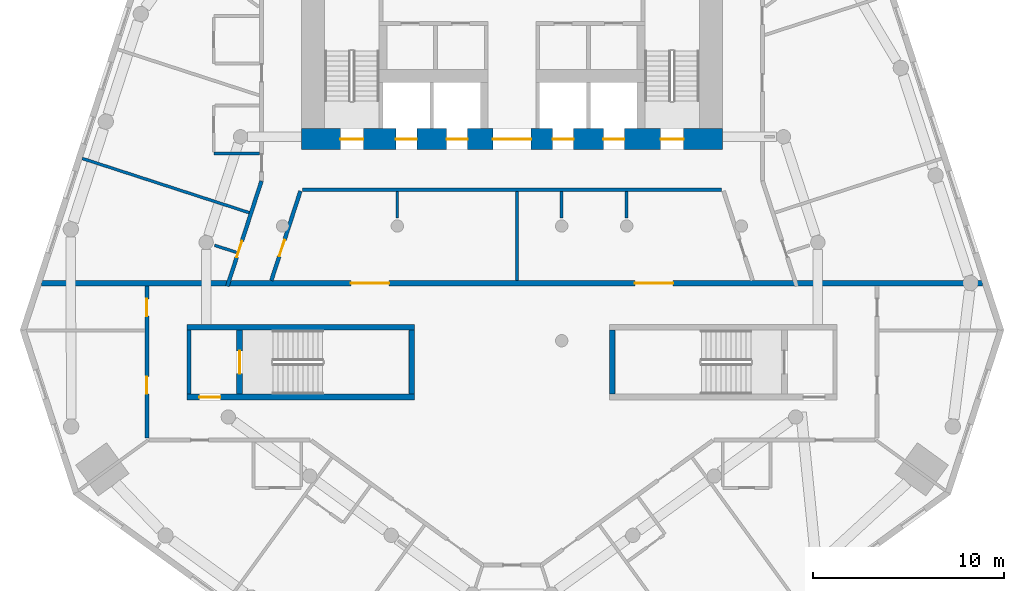
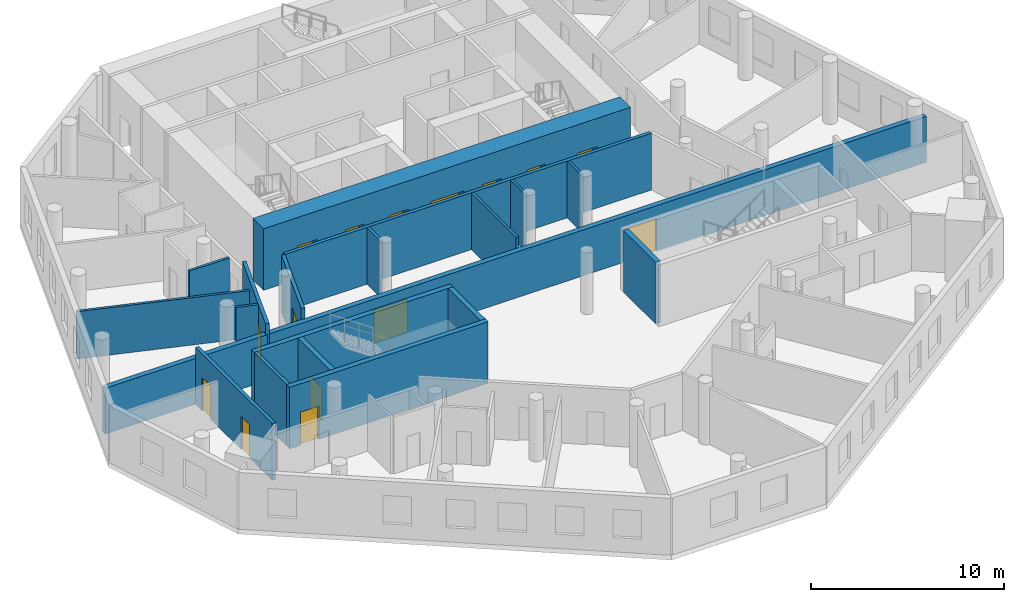
# One storey, part 3 of 9: 19 walls, 15 doors, 15 openings.
"""IFC4 building model written with IfcOpenShell, lengths in metres."""

from ifc_helpers import new_model, si_unit, direction, frame, frame_2d, origin, place, context, subcontext, project, spatial, rectangle, extrude, material, layer, layer_set, type_object, element, fill, save


model = new_model("IFC4")

# Units and contexts
model_context = context("Model", 3, precision=1e-05, world=origin(), true_north=direction((0.0, 1.0)))
body_context = subcontext(model_context, "Body", "Model", "MODEL_VIEW")
ifc_project = project(units=[si_unit("LENGTHUNIT", "METRE"), si_unit("AREAUNIT", "SQUARE_METRE"), si_unit("VOLUMEUNIT", "CUBIC_METRE"), si_unit("PLANEANGLEUNIT", "RADIAN"), si_unit("MASSUNIT", "GRAM", prefix="KILO")], contexts=[model_context])

# Site, building, storey
site_placement = place(None, origin())
site = spatial("IfcSite", under=ifc_project, at=site_placement, CompositionType="ELEMENT")
building_placement = place(site_placement, origin())
building = spatial("IfcBuilding", under=site, at=building_placement, Name="White Candle Pilgrim Tower", CompositionType="ELEMENT")
storey_placement = place(building_placement, frame((0.0, 0.0, 118.10009765625)))
storey = spatial("IfcBuildingStorey", under=building, at=storey_placement, Name="L26", CompositionType="ELEMENT", Elevation=118.10009765625)

# Wall
ifc_material_1 = material(Name="Concrete C60/75", Category="concrete")
ifc_layer_1 = layer(ifc_material_1, 0.199951171875)
ifc_layer_set_1 = layer_set([ifc_layer_1], Name="Core wall 200 mm Concrete C60/75")
wall_type_1 = type_object("IfcWallType", Name="Core wall 200 mm Concrete C60/75", PredefinedType="SHEAR", material=ifc_layer_set_1)
wall_1_placement = place(storey_placement, frame((53.10009765625, 58.199951171875, 0.0), z_axis=(0.0, 0.0, 1.0), x_axis=(0.0, 1.0, 0.0)))
element("IfcWall", 1, at=wall_1_placement, inside=storey, type_object=wall_type_1, Name="WL-L26-C03", PredefinedType="SHEAR", context=body_context, shape_type="SweptSolid", body=[
    extrude(rectangle(XDim=3.35009765625, YDim=0.199951171875, at=frame_2d((1.675048828125, 0.0))), origin(), (0.0, 0.0, 1.0), 3.89990234375),
])

# Wall, opening, door
ifc_material_2 = material(Name="Gypsum board on steel studs", Category="steel")
ifc_layer_2 = layer(ifc_material_2, 0.199951171875)
ifc_layer_set_2 = layer_set([ifc_layer_2], Name="Corridor wall 200 mm EI 45")
wall_type_2 = type_object("IfcWallType", Name="Corridor wall 200 mm EI 45", PredefinedType="PARTITIONING", material=ifc_layer_set_2)
wall_2_placement = place(storey_placement, frame((55.106689453125, 63.85009765625, 0.0), z_axis=(0.0, 0.0, 1.0), x_axis=(0.309017390004, 0.951056387747, 0.0)))
wall_2 = element("IfcWall", 2, at=wall_2_placement, inside=storey, type_object=wall_type_2, Name="WL-L26-P002", PredefinedType="PARTITIONING", context=body_context, shape_type="SweptSolid", body=[
    extrude(rectangle(XDim=5.787109375, YDim=0.199951171875, at=frame_2d((2.8935546875, 0.0))), origin(), (0.0, 0.0, 1.0), 3.599853515625),
])
opening_1_placement = place(wall_2_placement, frame((1.59619140625, 0.0, 0.0)))
opening_1 = element("IfcOpeningElement", 3, at=opening_1_placement, cuts=wall_2, Name="Opening T08-119", PredefinedType="OPENING", context=body_context, shape_type="SweptSolid", body=[
    extrude(rectangle(XDim=0.89990234375, YDim=2.10009765625, at=frame_2d((0.449951171875, 1.050048828125))), frame((0.0, 0.10986328125, 0.0), z_axis=(0.0, -1.0, 0.0), x_axis=(1.0, 0.0, 0.0)), (0.0, 0.0, 1.0), 0.219970703125),
])
ifc_material_3 = material(Name="Steel door leaf", Category="steel")
door_type_1 = type_object("IfcDoorType", Name="Fire door 900 x 2100 EI 30", OperationType="NOTDEFINED", PredefinedType="DOOR", material=ifc_material_3)
door_1_placement = place(opening_1_placement, origin())
door_1 = element("IfcDoor", 4, at=door_1_placement, inside=storey, type_object=door_type_1, Name="Door T08-119", OperationType="SINGLE_SWING_LEFT", OverallHeight=2.10009765625, OverallWidth=0.89990234375, PredefinedType="DOOR", context=body_context, shape_type="SweptSolid", body=[
    extrude(rectangle(XDim=0.89990234375, YDim=2.10009765625, at=frame_2d((0.449951171875, 1.050048828125))), frame((0.0, 0.02490234375, 0.0), z_axis=(0.0, -1.0, 0.0), x_axis=(1.0, 0.0, 0.0)), (0.0, 0.0, 1.0), 0.050048828125),
])
fill(opening_1, door_1)

# Wall, openings, doors
wall_3_placement = place(storey_placement, frame((50.89990234375, 55.89990234375, 0.0), z_axis=(0.0, 0.0, 1.0), x_axis=(0.0, 1.0, 0.0)))
wall_3 = element("IfcWall", 5, at=wall_3_placement, inside=storey, type_object=wall_type_2, Name="WL-L26-P012", PredefinedType="PARTITIONING", context=body_context, shape_type="SweptSolid", body=[
    extrude(rectangle(XDim=7.9501953125, YDim=0.199951171875, at=frame_2d((3.97509765625, 0.0))), origin(), (0.0, 0.0, 1.0), 3.599853515625),
])
opening_2_placement = place(wall_3_placement, frame((2.321533203125, 0.0, 0.0)))
opening_2 = element("IfcOpeningElement", 6, at=opening_2_placement, cuts=wall_3, Name="Opening T08-103", PredefinedType="OPENING", context=body_context, shape_type="SweptSolid", body=[
    extrude(rectangle(XDim=0.89990234375, YDim=2.10009765625, at=frame_2d((0.449951171875, 1.050048828125))), frame((0.0, 0.10986328125, 0.0), z_axis=(0.0, -1.0, 0.0), x_axis=(1.0, 0.0, 0.0)), (0.0, 0.0, 1.0), 0.219970703125),
])
opening_3_placement = place(wall_3_placement, frame((6.384033203125, 0.0, 0.0)))
opening_3 = element("IfcOpeningElement", 7, at=opening_3_placement, cuts=wall_3, Name="Opening T08-118", PredefinedType="OPENING", context=body_context, shape_type="SweptSolid", body=[
    extrude(rectangle(XDim=0.89990234375, YDim=2.10009765625, at=frame_2d((0.449951171875, 1.050048828125))), frame((0.0, 0.10986328125, 0.0), z_axis=(0.0, -1.0, 0.0), x_axis=(1.0, 0.0, 0.0)), (0.0, 0.0, 1.0), 0.219970703125),
])
door_2_placement = place(opening_2_placement, origin())
door_2 = element("IfcDoor", 8, at=door_2_placement, inside=storey, type_object=door_type_1, Name="Door T08-103", OperationType="SINGLE_SWING_LEFT", OverallHeight=2.10009765625, OverallWidth=0.89990234375, PredefinedType="DOOR", context=body_context, shape_type="SweptSolid", body=[
    extrude(rectangle(XDim=0.89990234375, YDim=2.10009765625, at=frame_2d((0.449951171875, 1.050048828125))), frame((0.0, 0.02490234375, 0.0), z_axis=(0.0, -1.0, 0.0), x_axis=(1.0, 0.0, 0.0)), (0.0, 0.0, 1.0), 0.050048828125),
])
fill(opening_2, door_2)
door_3_placement = place(opening_3_placement, origin())
door_3 = element("IfcDoor", 9, at=door_3_placement, inside=storey, type_object=door_type_1, Name="Door T08-118", OperationType="SINGLE_SWING_RIGHT", OverallHeight=2.10009765625, OverallWidth=0.89990234375, PredefinedType="DOOR", context=body_context, shape_type="SweptSolid", body=[
    extrude(rectangle(XDim=0.89990234375, YDim=2.10009765625, at=frame_2d((0.449951171875, 1.050048828125))), frame((0.0, 0.02490234375, 0.0), z_axis=(0.0, -1.0, 0.0), x_axis=(1.0, 0.0, 0.0)), (0.0, 0.0, 1.0), 0.050048828125),
])
fill(opening_3, door_3)

# Wall
wall_4_placement = place(storey_placement, frame((80.9716796875, 68.89990234375, 0.0), z_axis=(0.0, 0.0, 1.0), x_axis=(-1.0, 0.0, 0.0)))
element("IfcWall", 10, at=wall_4_placement, inside=storey, type_object=wall_type_2, Name="WL-L26-P013", PredefinedType="PARTITIONING", context=body_context, shape_type="SweptSolid", body=[
    extrude(rectangle(XDim=21.943359375, YDim=0.199951171875, at=frame_2d((10.9716796875, 0.0))), origin(), (0.0, 0.0, 1.0), 3.599853515625),
])

# Wall, opening, door
wall_5_placement = place(storey_placement, frame((58.93310546875, 68.830810546875, 0.0), z_axis=(0.0, 0.0, 1.0), x_axis=(-0.308986244793, -0.95106650689, 0.0)))
wall_5 = element("IfcWall", 11, at=wall_5_placement, inside=storey, type_object=wall_type_2, Name="WL-L26-P014", PredefinedType="PARTITIONING", context=body_context, shape_type="SweptSolid", body=[
    extrude(rectangle(XDim=4.921630859375, YDim=0.199951171875, at=frame_2d((2.4609375, 0.0))), origin(), (0.0, 0.0, 1.0), 3.599853515625),
])
opening_4_placement = place(wall_5_placement, frame((2.688720703125, 0.0, 0.0)))
opening_4 = element("IfcOpeningElement", 12, at=opening_4_placement, cuts=wall_5, Name="Opening T08-130", PredefinedType="OPENING", context=body_context, shape_type="SweptSolid", body=[
    extrude(rectangle(XDim=0.89990234375, YDim=2.10009765625, at=frame_2d((0.449951171875, 1.050048828125))), frame((0.0, 0.10986328125, 0.0), z_axis=(0.0, -1.0, 0.0), x_axis=(1.0, 0.0, 0.0)), (0.0, 0.0, 1.0), 0.219970703125),
])
door_4_placement = place(opening_4_placement, origin())
door_4 = element("IfcDoor", 13, at=door_4_placement, inside=storey, type_object=door_type_1, Name="Door T08-130", OperationType="SINGLE_SWING_RIGHT", OverallHeight=2.10009765625, OverallWidth=0.89990234375, PredefinedType="DOOR", context=body_context, shape_type="SweptSolid", body=[
    extrude(rectangle(XDim=0.89990234375, YDim=2.10009765625, at=frame_2d((0.449951171875, 1.050048828125))), frame((0.0, 0.02490234375, 0.0), z_axis=(0.0, -1.0, 0.0), x_axis=(1.0, 0.0, 0.0)), (0.0, 0.0, 1.0), 0.050048828125),
])
fill(opening_4, door_4)

# Wall, openings, doors
ifc_material_4 = material(Name="Aerated concrete block", Category="concrete")
ifc_layer_3 = layer(ifc_material_4, 0.300048828125)
ifc_layer_set_3 = layer_set([ifc_layer_3], Name="Fire wall 300 mm REI 240")
wall_type_3 = type_object("IfcWallType", Name="Fire wall 300 mm REI 240", PredefinedType="PARTITIONING", material=ifc_layer_set_3)
wall_6_placement = place(storey_placement, frame((45.39794921875, 64.0, 0.0), z_axis=(0.0, 0.0, 1.0), x_axis=(1.0, 0.0, 0.0)))
wall_6 = element("IfcWall", 14, at=wall_6_placement, inside=storey, type_object=wall_type_3, Name="WL-L26-P001", PredefinedType="PARTITIONING", context=body_context, shape_type="SweptSolid", body=[
    extrude(rectangle(XDim=49.2041015625, YDim=0.300048828125, at=frame_2d((24.60205078125, 0.0))), origin(), (0.0, 0.0, 1.0), 2.89990234375),
])
opening_5_placement = place(wall_6_placement, frame((16.1796875, 0.0, 0.0)))
opening_5 = element("IfcOpeningElement", 15, at=opening_5_placement, cuts=wall_6, Name="Opening T08-116", PredefinedType="OPENING", context=body_context, shape_type="SweptSolid", body=[
    extrude(rectangle(XDim=2.0, YDim=2.10009765625, at=frame_2d((1.0, 1.050048828125))), frame((0.0, 0.159912109375, 0.0), z_axis=(0.0, -1.0, 0.0), x_axis=(1.0, 0.0, 0.0)), (0.0, 0.0, 1.0), 0.320068359375),
])
opening_6_placement = place(wall_6_placement, frame((31.0244140625, 0.0, 0.0)))
opening_6 = element("IfcOpeningElement", 16, at=opening_6_placement, cuts=wall_6, Name="Opening T08-117", PredefinedType="OPENING", context=body_context, shape_type="SweptSolid", body=[
    extrude(rectangle(XDim=2.0, YDim=2.10009765625, at=frame_2d((1.0, 1.050048828125))), frame((0.0, 0.159912109375, 0.0), z_axis=(0.0, -1.0, 0.0), x_axis=(1.0, 0.0, 0.0)), (0.0, 0.0, 1.0), 0.320068359375),
])
door_type_2 = type_object("IfcDoorType", Name="Fire door 2000 x 2100 EI 60", OperationType="NOTDEFINED", PredefinedType="DOOR", material=ifc_material_3)
door_5_placement = place(opening_5_placement, origin())
door_5 = element("IfcDoor", 17, at=door_5_placement, inside=storey, type_object=door_type_2, Name="Door T08-116", OperationType="DOUBLE_DOOR_SINGLE_SWING", OverallHeight=2.10009765625, OverallWidth=2.0, PredefinedType="DOOR", context=body_context, shape_type="SweptSolid", body=[
    extrude(rectangle(XDim=2.0, YDim=2.10009765625, at=frame_2d((1.0, 1.050048828125))), frame((0.0, 0.02490234375, 0.0), z_axis=(0.0, -1.0, 0.0), x_axis=(1.0, 0.0, 0.0)), (0.0, 0.0, 1.0), 0.050048828125),
])
fill(opening_5, door_5)
door_6_placement = place(opening_6_placement, origin())
door_6 = element("IfcDoor", 18, at=door_6_placement, inside=storey, type_object=door_type_2, Name="Door T08-117", OperationType="DOUBLE_DOOR_SINGLE_SWING", OverallHeight=2.10009765625, OverallWidth=2.0, PredefinedType="DOOR", context=body_context, shape_type="SweptSolid", body=[
    extrude(rectangle(XDim=2.0, YDim=2.10009765625, at=frame_2d((1.0, 1.050048828125))), frame((0.0, 0.02490234375, 0.0), z_axis=(0.0, -1.0, 0.0), x_axis=(1.0, 0.0, 0.0)), (0.0, 0.0, 1.0), 0.050048828125),
])
fill(opening_6, door_6)

# Walls
ifc_layer_4 = layer(ifc_material_2, 0.14990234375)
ifc_layer_set_4 = layer_set([ifc_layer_4], Name="Partition 150 mm EI 60")
wall_type_4 = type_object("IfcWallType", Name="Partition 150 mm EI 60", PredefinedType="PARTITIONING", material=ifc_layer_set_4)
wall_7_placement = place(storey_placement, frame((47.52099609375, 70.533935546875, 0.0), z_axis=(0.0, 0.0, 1.0), x_axis=(0.951052242872, -0.309030146309, 0.0)))
element("IfcWall", 19, at=wall_7_placement, inside=storey, type_object=wall_type_4, Name="WL-L26-P026", PredefinedType="PARTITIONING", context=body_context, shape_type="SweptSolid", body=[
    extrude(rectangle(XDim=9.18017578125, YDim=0.14990234375, at=frame_2d((4.590087890625, 0.0))), origin(), (0.0, 0.0, 1.0), 3.0),
])
wall_8_placement = place(storey_placement, frame((56.800048828125, 70.795166015625, 0.0), z_axis=(0.0, 0.0, 1.0), x_axis=(-1.0, 0.0, 0.0)))
element("IfcWall", 20, at=wall_8_placement, inside=storey, type_object=wall_type_4, Name="WL-L26-P030", PredefinedType="PARTITIONING", context=body_context, shape_type="SweptSolid", body=[
    extrude(rectangle(XDim=2.400146484375, YDim=0.14990234375, at=frame_2d((1.2001953125, 0.0))), origin(), (0.0, 0.0, 1.0), 3.0),
])
wall_9_placement = place(storey_placement, frame((70.255126953125, 64.14990234375, 0.0), z_axis=(0.0, 0.0, 1.0), x_axis=(0.0, 1.0, 0.0)))
element("IfcWall", 21, at=wall_9_placement, inside=storey, type_object=wall_type_4, Name="WL-L26-P049", PredefinedType="PARTITIONING", context=body_context, shape_type="SweptSolid", body=[
    extrude(rectangle(XDim=4.650146484375, YDim=0.14990234375, at=frame_2d((2.3251953125, 0.0))), origin(), (0.0, 0.0, 1.0), 3.599853515625),
])
wall_10_placement = place(storey_placement, frame((54.441162109375, 65.992919921875, 0.0), z_axis=(0.0, 0.0, 1.0), x_axis=(0.951046076661, -0.30904912242, 0.0)))
element("IfcWall", 22, at=wall_10_placement, inside=storey, type_object=wall_type_4, Name="WL-L26-P057", PredefinedType="PARTITIONING", context=body_context, shape_type="SweptSolid", body=[
    extrude(rectangle(XDim=1.1953125, YDim=0.14990234375, at=frame_2d((0.59765625, 0.0))), origin(), (0.0, 0.0, 1.0), 3.599853515625),
])
for number, where, z_axis, x_axis, name in (
    (23, (63.997802734375, 67.4150390625, 0.0), (0.0, 0.0, 1.0), (0.0, 1.0, 0.0), "WL-L26-P058"),
    (24, (72.59765625, 67.4150390625, 0.0), (0.0, 0.0, 1.0), (0.0, 1.0, 0.0), "WL-L26-P059"),
    (25, (75.997802734375, 67.4150390625, 0.0), (0.0, 0.0, 1.0), (0.0, 1.0, 0.0), "WL-L26-P060"),
):
    element("IfcWall", number, at=place(storey_placement, frame(where, z_axis=z_axis, x_axis=x_axis)), inside=storey, type_object=wall_type_4, Name=name, PredefinedType="PARTITIONING", context=body_context, shape_type="SweptSolid", body=[
        extrude(rectangle(XDim=1.385009765625, YDim=0.14990234375, at=frame_2d((0.6923828125, 0.0))), origin(), (0.0, 0.0, 1.0), 3.599853515625),
    ])

# Wall, openings, doors
ifc_layer_5 = layer(ifc_material_1, 1.10009765625)
ifc_layer_set_5 = layer_set([ifc_layer_5], Name="Stair shaft wall 1100 mm Concrete C60/75")
wall_type_5 = type_object("IfcWallType", Name="Stair shaft wall 1100 mm Concrete C60/75", PredefinedType="SHEAR", material=ifc_layer_set_5)
wall_11_placement = place(storey_placement, frame((59.0, 71.550048828125, 0.0), z_axis=(0.0, 0.0, 1.0), x_axis=(1.0, 0.0, 0.0)))
wall_11 = element("IfcWall", 26, at=wall_11_placement, inside=storey, type_object=wall_type_5, Name="WL-L26-C11", PredefinedType="SHEAR", context=body_context, shape_type="SweptSolid", body=[
    extrude(rectangle(XDim=22.0, YDim=1.10009765625, at=frame_2d((11.0, 0.0))), origin(), (0.0, 0.0, 1.0), 3.89990234375),
])
opening_7_placement = place(wall_11_placement, frame((2.02490234375, 0.0, 0.0)))
opening_7 = element("IfcOpeningElement", 27, at=opening_7_placement, cuts=wall_11, Name="Opening T08-001", PredefinedType="OPENING", context=body_context, shape_type="SweptSolid", body=[
    extrude(rectangle(XDim=1.199951171875, YDim=2.10009765625, at=frame_2d((0.60009765625, 1.050048828125))), frame((0.0, 0.56005859375, 0.0), z_axis=(0.0, -1.0, 0.0), x_axis=(1.0, 0.0, 0.0)), (0.0, 0.0, 1.0), 1.1201171875),
])
opening_8_placement = place(wall_11_placement, frame((18.77490234375, 0.0, 0.0)))
opening_8 = element("IfcOpeningElement", 28, at=opening_8_placement, cuts=wall_11, Name="Opening T08-002", PredefinedType="OPENING", context=body_context, shape_type="SweptSolid", body=[
    extrude(rectangle(XDim=1.199951171875, YDim=2.10009765625, at=frame_2d((0.60009765625, 1.050048828125))), frame((0.0, 0.56005859375, 0.0), z_axis=(0.0, -1.0, 0.0), x_axis=(1.0, 0.0, 0.0)), (0.0, 0.0, 1.0), 1.1201171875),
])
opening_9_placement = place(wall_11_placement, frame((10.0, 0.0, 0.0)))
opening_9 = element("IfcOpeningElement", 29, at=opening_9_placement, cuts=wall_11, Name="Opening T08-004", PredefinedType="OPENING", context=body_context, shape_type="SweptSolid", body=[
    extrude(rectangle(XDim=2.0, YDim=2.10009765625, at=frame_2d((1.0, 1.050048828125))), frame((0.0, 0.56005859375, 0.0), z_axis=(0.0, -1.0, 0.0), x_axis=(1.0, 0.0, 0.0)), (0.0, 0.0, 1.0), 1.1201171875),
])
opening_10_placement = place(wall_11_placement, frame((4.925048828125, 0.0, 0.0)))
opening_10 = element("IfcOpeningElement", 30, at=opening_10_placement, cuts=wall_11, Name="Opening T08-014", PredefinedType="OPENING", context=body_context, shape_type="SweptSolid", body=[
    extrude(rectangle(XDim=1.10009765625, YDim=2.10009765625, at=frame_2d((0.550048828125, 1.050048828125))), frame((0.0, 0.56005859375, 0.0), z_axis=(0.0, -1.0, 0.0), x_axis=(1.0, 0.0, 0.0)), (0.0, 0.0, 1.0), 1.1201171875),
])
opening_11_placement = place(wall_11_placement, frame((7.574951171875, 0.0, 0.0)))
opening_11 = element("IfcOpeningElement", 31, at=opening_11_placement, cuts=wall_11, Name="Opening T08-015", PredefinedType="OPENING", context=body_context, shape_type="SweptSolid", body=[
    extrude(rectangle(XDim=1.10009765625, YDim=2.10009765625, at=frame_2d((0.550048828125, 1.050048828125))), frame((0.0, 0.56005859375, 0.0), z_axis=(0.0, -1.0, 0.0), x_axis=(1.0, 0.0, 0.0)), (0.0, 0.0, 1.0), 1.1201171875),
])
opening_12_placement = place(wall_11_placement, frame((13.125, 0.0, 0.0)))
opening_12 = element("IfcOpeningElement", 32, at=opening_12_placement, cuts=wall_11, Name="Opening T08-016", PredefinedType="OPENING", context=body_context, shape_type="SweptSolid", body=[
    extrude(rectangle(XDim=1.10009765625, YDim=2.10009765625, at=frame_2d((0.550048828125, 1.050048828125))), frame((0.0, 0.56005859375, 0.0), z_axis=(0.0, -1.0, 0.0), x_axis=(1.0, 0.0, 0.0)), (0.0, 0.0, 1.0), 1.1201171875),
])
opening_13_placement = place(wall_11_placement, frame((15.77490234375, 0.0, 0.0)))
opening_13 = element("IfcOpeningElement", 33, at=opening_13_placement, cuts=wall_11, Name="Opening T08-017", PredefinedType="OPENING", context=body_context, shape_type="SweptSolid", body=[
    extrude(rectangle(XDim=1.10009765625, YDim=2.10009765625, at=frame_2d((0.550048828125, 1.050048828125))), frame((0.0, 0.56005859375, 0.0), z_axis=(0.0, -1.0, 0.0), x_axis=(1.0, 0.0, 0.0)), (0.0, 0.0, 1.0), 1.1201171875),
])
door_type_3 = type_object("IfcDoorType", Name="Fire door 1200 x 2100 EI 60", OperationType="NOTDEFINED", PredefinedType="DOOR", material=ifc_material_3)
door_7_placement = place(opening_7_placement, frame((1.199951171875, 0.0, 0.0), z_axis=(0.0, 0.0, 1.0), x_axis=(-1.0, 0.0, 0.0)))
door_7 = element("IfcDoor", 34, at=door_7_placement, inside=storey, type_object=door_type_3, Name="Door T08-001", OperationType="SINGLE_SWING_RIGHT", OverallHeight=2.10009765625, OverallWidth=1.199951171875, PredefinedType="DOOR", context=body_context, shape_type="SweptSolid", body=[
    extrude(rectangle(XDim=1.199951171875, YDim=2.10009765625, at=frame_2d((0.60009765625, 1.050048828125))), frame((0.0, 0.02490234375, 0.0), z_axis=(0.0, -1.0, 0.0), x_axis=(1.0, 0.0, 0.0)), (0.0, 0.0, 1.0), 0.050048828125),
])
fill(opening_7, door_7)
door_8_placement = place(opening_8_placement, frame((1.199951171875, 0.0, 0.0), z_axis=(0.0, 0.0, 1.0), x_axis=(-1.0, 0.0, 0.0)))
door_8 = element("IfcDoor", 35, at=door_8_placement, inside=storey, type_object=door_type_3, Name="Door T08-002", OperationType="SINGLE_SWING_LEFT", OverallHeight=2.10009765625, OverallWidth=1.199951171875, PredefinedType="DOOR", context=body_context, shape_type="SweptSolid", body=[
    extrude(rectangle(XDim=1.199951171875, YDim=2.10009765625, at=frame_2d((0.60009765625, 1.050048828125))), frame((0.0, 0.02490234375, 0.0), z_axis=(0.0, -1.0, 0.0), x_axis=(1.0, 0.0, 0.0)), (0.0, 0.0, 1.0), 0.050048828125),
])
fill(opening_8, door_8)
door_9_placement = place(opening_9_placement, frame((2.0, 0.0, 0.0), z_axis=(0.0, 0.0, 1.0), x_axis=(-1.0, 0.0, 0.0)))
door_9 = element("IfcDoor", 36, at=door_9_placement, inside=storey, type_object=door_type_2, Name="Door T08-004", OperationType="DOUBLE_DOOR_SINGLE_SWING", OverallHeight=2.10009765625, OverallWidth=2.0, PredefinedType="DOOR", context=body_context, shape_type="SweptSolid", body=[
    extrude(rectangle(XDim=2.0, YDim=2.10009765625, at=frame_2d((1.0, 1.050048828125))), frame((0.0, 0.02490234375, 0.0), z_axis=(0.0, -1.0, 0.0), x_axis=(1.0, 0.0, 0.0)), (0.0, 0.0, 1.0), 0.050048828125),
])
fill(opening_9, door_9)
ifc_material_5 = material(Name="Stainless steel", Category="steel")
door_type_4 = type_object("IfcDoorType", Name="Lift landing door 1100 x 2100 E 60", OperationType="DOUBLE_DOOR_SLIDING", PredefinedType="DOOR", material=ifc_material_5)
door_10_placement = place(opening_10_placement, origin())
door_10 = element("IfcDoor", 37, at=door_10_placement, inside=storey, type_object=door_type_4, Name="Door T08-014", OperationType="DOUBLE_DOOR_SLIDING", OverallHeight=2.10009765625, OverallWidth=1.10009765625, PredefinedType="DOOR", context=body_context, shape_type="SweptSolid", body=[
    extrude(rectangle(XDim=1.10009765625, YDim=2.10009765625, at=frame_2d((0.550048828125, 1.050048828125))), frame((0.0, 0.02490234375, 0.0), z_axis=(0.0, -1.0, 0.0), x_axis=(1.0, 0.0, 0.0)), (0.0, 0.0, 1.0), 0.050048828125),
])
fill(opening_10, door_10)
door_11_placement = place(opening_11_placement, origin())
door_11 = element("IfcDoor", 38, at=door_11_placement, inside=storey, type_object=door_type_4, Name="Door T08-015", OperationType="DOUBLE_DOOR_SLIDING", OverallHeight=2.10009765625, OverallWidth=1.10009765625, PredefinedType="DOOR", context=body_context, shape_type="SweptSolid", body=[
    extrude(rectangle(XDim=1.10009765625, YDim=2.10009765625, at=frame_2d((0.550048828125, 1.050048828125))), frame((0.0, 0.02490234375, 0.0), z_axis=(0.0, -1.0, 0.0), x_axis=(1.0, 0.0, 0.0)), (0.0, 0.0, 1.0), 0.050048828125),
])
fill(opening_11, door_11)
door_12_placement = place(opening_12_placement, origin())
door_12 = element("IfcDoor", 39, at=door_12_placement, inside=storey, type_object=door_type_4, Name="Door T08-016", OperationType="DOUBLE_DOOR_SLIDING", OverallHeight=2.10009765625, OverallWidth=1.10009765625, PredefinedType="DOOR", context=body_context, shape_type="SweptSolid", body=[
    extrude(rectangle(XDim=1.10009765625, YDim=2.10009765625, at=frame_2d((0.550048828125, 1.050048828125))), frame((0.0, 0.02490234375, 0.0), z_axis=(0.0, -1.0, 0.0), x_axis=(1.0, 0.0, 0.0)), (0.0, 0.0, 1.0), 0.050048828125),
])
fill(opening_12, door_12)
door_13_placement = place(opening_13_placement, origin())
door_13 = element("IfcDoor", 40, at=door_13_placement, inside=storey, type_object=door_type_4, Name="Door T08-017", OperationType="DOUBLE_DOOR_SLIDING", OverallHeight=2.10009765625, OverallWidth=1.10009765625, PredefinedType="DOOR", context=body_context, shape_type="SweptSolid", body=[
    extrude(rectangle(XDim=1.10009765625, YDim=2.10009765625, at=frame_2d((0.550048828125, 1.050048828125))), frame((0.0, 0.02490234375, 0.0), z_axis=(0.0, -1.0, 0.0), x_axis=(1.0, 0.0, 0.0)), (0.0, 0.0, 1.0), 0.050048828125),
])
fill(opening_13, door_13)

# Wall, opening, door
ifc_layer_6 = layer(ifc_material_1, 0.300048828125)
ifc_layer_set_6 = layer_set([ifc_layer_6], Name="Stair shaft wall 300 mm Concrete C60/75")
wall_type_6 = type_object("IfcWallType", Name="Stair shaft wall 300 mm Concrete C60/75", PredefinedType="SHEAR", material=ifc_layer_set_6)
wall_12_placement = place(storey_placement, frame((53.0, 58.050048828125, 0.0), z_axis=(0.0, 0.0, 1.0), x_axis=(1.0, 0.0, 0.0)))
wall_12 = element("IfcWall", 41, at=wall_12_placement, inside=storey, type_object=wall_type_6, Name="WL-L26-C01", PredefinedType="SHEAR", context=body_context, shape_type="SweptSolid", body=[
    extrude(rectangle(XDim=11.89990234375, YDim=0.300048828125, at=frame_2d((5.949951171875, 0.0))), origin(), (0.0, 0.0, 1.0), 3.89990234375),
])
opening_14_placement = place(wall_12_placement, frame((0.64990234375, 0.0, 0.0)))
opening_14 = element("IfcOpeningElement", 42, at=opening_14_placement, cuts=wall_12, Name="Opening T08-007", PredefinedType="OPENING", context=body_context, shape_type="SweptSolid", body=[
    extrude(rectangle(XDim=1.10009765625, YDim=2.10009765625, at=frame_2d((0.550048828125, 1.050048828125))), frame((0.0, 0.159912109375, 0.0), z_axis=(0.0, -1.0, 0.0), x_axis=(1.0, 0.0, 0.0)), (0.0, 0.0, 1.0), 0.320068359375),
])
door_type_5 = type_object("IfcDoorType", Name="Fire door 1100 x 2100 EI 60", OperationType="NOTDEFINED", PredefinedType="DOOR", material=ifc_material_3)
door_14_placement = place(opening_14_placement, origin())
door_14 = element("IfcDoor", 43, at=door_14_placement, inside=storey, type_object=door_type_5, Name="Door T08-007", OperationType="SINGLE_SWING_LEFT", OverallHeight=2.10009765625, OverallWidth=1.10009765625, PredefinedType="DOOR", context=body_context, shape_type="SweptSolid", body=[
    extrude(rectangle(XDim=1.10009765625, YDim=2.10009765625, at=frame_2d((0.550048828125, 1.050048828125))), frame((0.0, 0.02490234375, 0.0), z_axis=(0.0, -1.0, 0.0), x_axis=(1.0, 0.0, 0.0)), (0.0, 0.0, 1.0), 0.050048828125),
])
fill(opening_14, door_14)

wall_13_placement = place(storey_placement, frame((55.75, 58.199951171875, 0.0), z_axis=(0.0, 0.0, 1.0), x_axis=(0.0, 1.0, 0.0)))
wall_13 = element("IfcWall", 44, at=wall_13_placement, inside=storey, type_object=wall_type_6, Name="WL-L26-C04", PredefinedType="SHEAR", context=body_context, shape_type="SweptSolid", body=[
    extrude(rectangle(XDim=3.35009765625, YDim=0.300048828125, at=frame_2d((1.675048828125, 0.0))), origin(), (0.0, 0.0, 1.0), 3.89990234375),
])
opening_15_placement = place(wall_13_placement, frame((1.074951171875, 0.0, 0.0)))
opening_15 = element("IfcOpeningElement", 45, at=opening_15_placement, cuts=wall_13, Name="Opening T08-008", PredefinedType="OPENING", context=body_context, shape_type="SweptSolid", body=[
    extrude(rectangle(XDim=1.199951171875, YDim=2.10009765625, at=frame_2d((0.60009765625, 1.050048828125))), frame((0.0, 0.159912109375, 0.0), z_axis=(0.0, -1.0, 0.0), x_axis=(1.0, 0.0, 0.0)), (0.0, 0.0, 1.0), 0.320068359375),
])
door_15_placement = place(opening_15_placement, frame((1.199951171875, 0.0, 0.0), z_axis=(0.0, 0.0, 1.0), x_axis=(-1.0, 0.0, 0.0)))
door_15 = element("IfcDoor", 46, at=door_15_placement, inside=storey, type_object=door_type_3, Name="Door T08-008", OperationType="SINGLE_SWING_LEFT", OverallHeight=2.10009765625, OverallWidth=1.199951171875, PredefinedType="DOOR", context=body_context, shape_type="SweptSolid", body=[
    extrude(rectangle(XDim=1.199951171875, YDim=2.10009765625, at=frame_2d((0.60009765625, 1.050048828125))), frame((0.0, 0.02490234375, 0.0), z_axis=(0.0, -1.0, 0.0), x_axis=(1.0, 0.0, 0.0)), (0.0, 0.0, 1.0), 0.050048828125),
])
fill(opening_15, door_15)

# Walls
for number, where, z_axis, x_axis, name in (
    (47, (64.75, 58.199951171875, 0.0), (0.0, 0.0, 1.0), (0.0, 1.0, 0.0), "WL-L26-C05"),
    (48, (75.25, 58.199951171875, 0.0), (0.0, 0.0, 1.0), (0.0, 1.0, 0.0), "WL-L26-C06"),
):
    element("IfcWall", number, at=place(storey_placement, frame(where, z_axis=z_axis, x_axis=x_axis)), inside=storey, type_object=wall_type_6, Name=name, PredefinedType="SHEAR", context=body_context, shape_type="SweptSolid", body=[
        extrude(rectangle(XDim=3.35009765625, YDim=0.300048828125, at=frame_2d((1.675048828125, 0.0))), origin(), (0.0, 0.0, 1.0), 3.89990234375),
    ])
wall_14_placement = place(storey_placement, frame((53.0, 61.699951171875, 0.0), z_axis=(0.0, 0.0, 1.0), x_axis=(1.0, 0.0, 0.0)))
element("IfcWall", 49, at=wall_14_placement, inside=storey, type_object=wall_type_6, Name="WL-L26-C09", PredefinedType="SHEAR", context=body_context, shape_type="SweptSolid", body=[
    extrude(rectangle(XDim=11.89990234375, YDim=0.300048828125, at=frame_2d((5.949951171875, 0.0))), origin(), (0.0, 0.0, 1.0), 3.89990234375),
])

save(model, "model.ifc")
